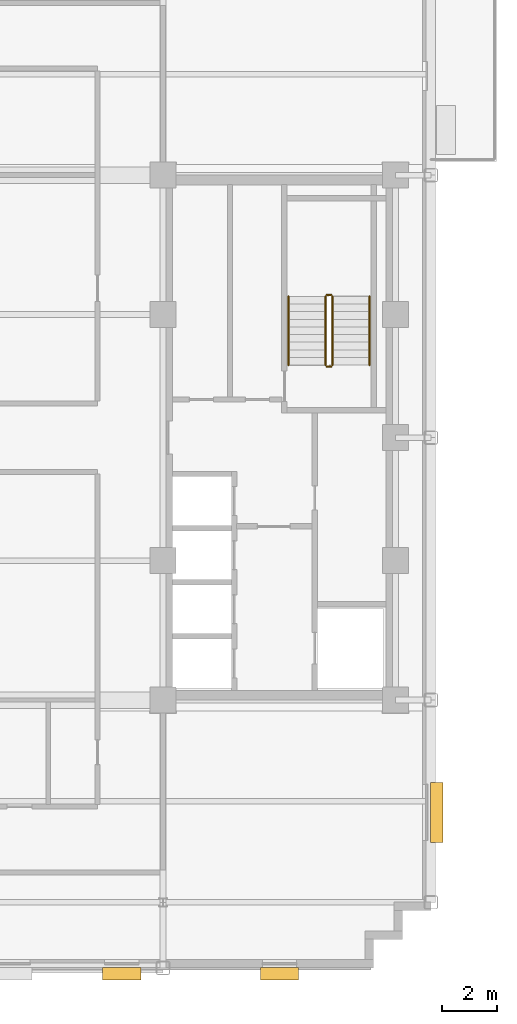
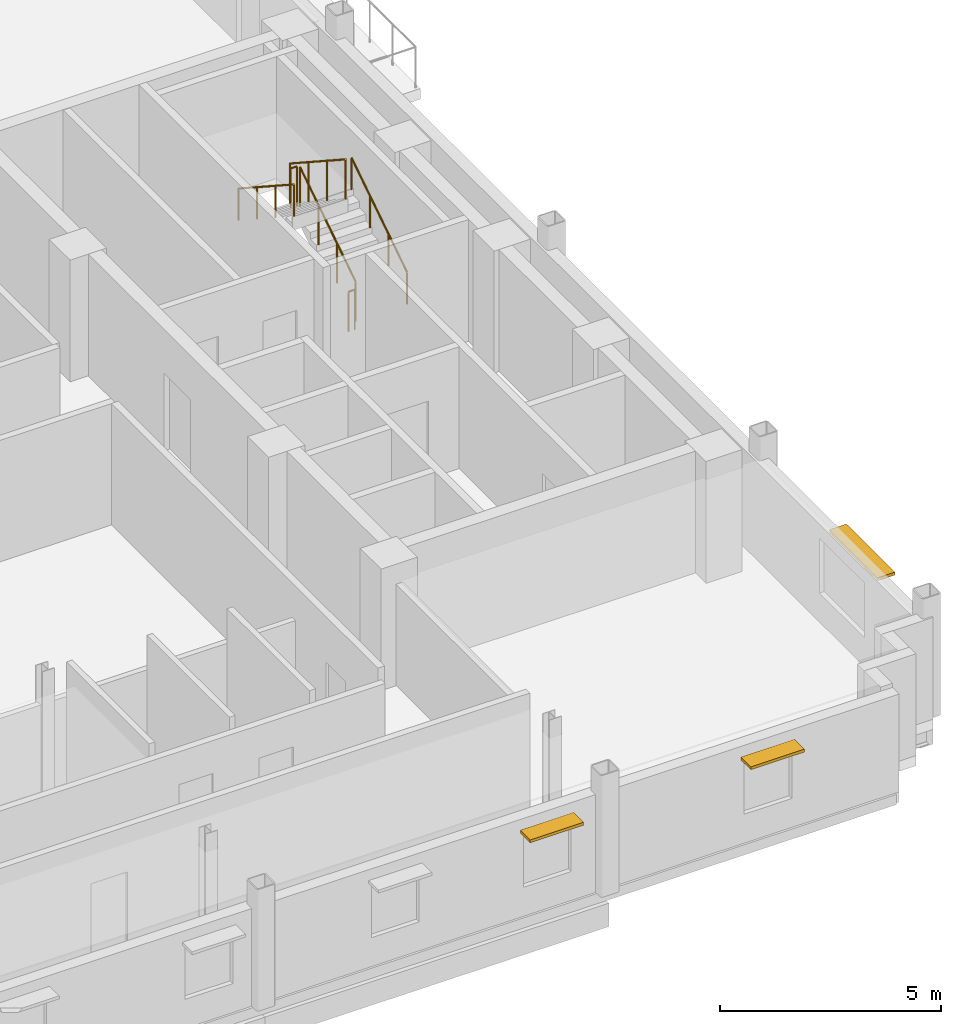
# One storey, part 12 of 13: 6 railings, 3 shading devices.
"""IFC4 building model written with IfcOpenShell, lengths in metres."""

from ifc_helpers import new_model, si_unit, direction, frame, origin, origin_2d, place, context, subcontext, project, spatial, rectangle, circle, extrude, source, transform, mapped, material, type_object, type_shapes, element, save


model = new_model("IFC4")

# Units and contexts
model_context = context("Model", 3, precision=1e-05, world=origin(), true_north=direction((0.0, 1.0)))
body_context = subcontext(model_context, "Body", "Model", "MODEL_VIEW")
ifc_project = project(units=[si_unit("LENGTHUNIT", "METRE"), si_unit("AREAUNIT", "SQUARE_METRE"), si_unit("VOLUMEUNIT", "CUBIC_METRE"), si_unit("PLANEANGLEUNIT", "RADIAN"), si_unit("MASSUNIT", "GRAM", prefix="KILO")], contexts=[model_context])

# Site, building, storey
site_placement = place(None, origin())
site = spatial("IfcSite", under=ifc_project, at=site_placement, CompositionType="ELEMENT")
building_placement = place(site_placement, origin())
building = spatial("IfcBuilding", under=site, at=building_placement, Name="Nuvemarco Arch Tower", CompositionType="ELEMENT")
storey_placement = place(building_placement, frame((0.0, 0.0, 216.449951171875)))
storey = spatial("IfcBuildingStorey", under=building, at=storey_placement, Name="L57", CompositionType="ELEMENT", Elevation=216.449951171875)

# Railings
ifc_material_1 = material(Name="Brushed stainless steel handrail", Category="steel")
railing_type_1 = type_object("IfcRailingType", Name="RL-HANDRAIL-900", PredefinedType="HANDRAIL", material=ifc_material_1)
railing_1_placement = place(storey_placement, frame((16.550048828125, 2.64990234375, 0.1826171875)))
element("IfcRailing", 1, at=railing_1_placement, inside=storey, type_object=railing_type_1, Name="L57 ST-2 stair handrail 1", PredefinedType="HANDRAIL", context=body_context, shape_type="SweptSolid", body=[
    extrude(circle(Radius=0.02392578125, at=origin_2d()), frame((0.0, 0.0, 0.8759765625), z_axis=(0.0, 0.837786554691, 0.545997883492), x_axis=(-1.0, 0.0, 0.0)), (0.0, 0.0, 1.0), 3.008056640625),
    extrude(circle(Radius=0.02099609375, at=origin_2d()), origin(), (0.0, 0.0, 1.0), 0.851806640625),
    extrude(circle(Radius=0.02099609375, at=origin_2d()), frame((0.0, 0.840087890625, 0.54736328125)), (0.0, 0.0, 1.0), 0.851806640625),
    extrude(circle(Radius=0.02099609375, at=origin_2d()), frame((0.0, 1.679931640625, 1.094970703125)), (0.0, 0.0, 1.0), 0.851806640625),
    extrude(circle(Radius=0.02099609375, at=origin_2d()), frame((0.0, 2.52001953125, 1.642333984375)), (0.0, 0.0, 1.0), 0.851806640625),
])
railing_2_placement = place(storey_placement, frame((13.590087890625, 5.169921875, 2.007568359375)))
element("IfcRailing", 2, at=railing_2_placement, inside=storey, type_object=railing_type_1, Name="L57 ST-2 stair handrail 2", PredefinedType="HANDRAIL", context=body_context, shape_type="SweptSolid", body=[
    extrude(circle(Radius=0.02392578125, at=origin_2d()), frame((0.0, 0.0, 0.8759765625), z_axis=(0.0, -0.837749427056, 0.546054848405), x_axis=(1.0, 0.0, 0.0)), (0.0, 0.0, 1.0), 3.008056640625),
    extrude(circle(Radius=0.02099609375, at=origin_2d()), origin(), (0.0, 0.0, 1.0), 0.851806640625),
    extrude(circle(Radius=0.02099609375, at=origin_2d()), frame((0.0, -0.840087890625, 0.547607421875)), (0.0, 0.0, 1.0), 0.851806640625),
    extrude(circle(Radius=0.02099609375, at=origin_2d()), frame((0.0, -1.679931640625, 1.094970703125)), (0.0, 0.0, 1.0), 0.851806640625),
    extrude(circle(Radius=0.02099609375, at=origin_2d()), frame((0.0, -2.52001953125, 1.642578125)), (0.0, 0.0, 1.0), 0.851806640625),
])
ifc_material_2 = material(Name="Painted balustrade steel S355", Category="steel")
railing_type_2 = type_object("IfcRailingType", Name="RL-STAIR-GUARD", PredefinedType="GUARDRAIL", material=ifc_material_2)
railing_3_placement = place(storey_placement, frame((15.199951171875, 2.64990234375, 0.1826171875)))
element("IfcRailing", 3, at=railing_3_placement, inside=storey, type_object=railing_type_2, Name="L57 ST-2 stair guard 1", PredefinedType="GUARDRAIL", context=body_context, shape_type="SweptSolid", body=[
    extrude(circle(Radius=0.02392578125, at=origin_2d()), frame((0.0, 0.0, 1.09619140625), z_axis=(0.0, 0.837786554691, 0.545997883492), x_axis=(-1.0, 0.0, 0.0)), (0.0, 0.0, 1.0), 3.008056640625),
    extrude(circle(Radius=0.02099609375, at=origin_2d()), origin(), (0.0, 0.0, 1.0), 1.072021484375),
    extrude(circle(Radius=0.02099609375, at=origin_2d()), frame((0.0, 0.840087890625, 0.54736328125)), (0.0, 0.0, 1.0), 1.072021484375),
    extrude(circle(Radius=0.02099609375, at=origin_2d()), frame((0.0, 1.679931640625, 1.094970703125)), (0.0, 0.0, 1.0), 1.072021484375),
    extrude(circle(Radius=0.02099609375, at=origin_2d()), frame((0.0, 2.52001953125, 1.642333984375)), (0.0, 0.0, 1.0), 1.072021484375),
])
railing_4_placement = place(storey_placement, frame((15.14990234375, 5.219970703125, 1.824951171875)))
element("IfcRailing", 4, at=railing_4_placement, inside=storey, type_object=railing_type_2, Name="L57 ST-2 stair guard 2", PredefinedType="GUARDRAIL", context=body_context, shape_type="SweptSolid", body=[
    extrude(circle(Radius=0.02392578125, at=origin_2d()), frame((0.0, 0.0, 1.09619140625), z_axis=(-1.0, 0.0, 0.0), x_axis=(0.0, -1.0, 0.0)), (0.0, 0.0, 1.0), 0.159912109375),
    extrude(circle(Radius=0.02099609375, at=origin_2d()), origin(), (0.0, 0.0, 1.0), 1.072021484375),
    extrude(circle(Radius=0.02099609375, at=origin_2d()), frame((-0.159912109375, 0.0, 0.0)), (0.0, 0.0, 1.0), 1.072021484375),
])
railing_5_placement = place(storey_placement, frame((14.93994140625, 5.169921875, 2.007568359375)))
element("IfcRailing", 5, at=railing_5_placement, inside=storey, type_object=railing_type_2, Name="L57 ST-2 stair guard 3", PredefinedType="GUARDRAIL", context=body_context, shape_type="SweptSolid", body=[
    extrude(circle(Radius=0.02392578125, at=origin_2d()), frame((0.0, 0.0, 1.09619140625), z_axis=(0.0, -0.837749427056, 0.546054848405), x_axis=(1.0, 0.0, 0.0)), (0.0, 0.0, 1.0), 3.008056640625),
    extrude(circle(Radius=0.02099609375, at=origin_2d()), origin(), (0.0, 0.0, 1.0), 1.072021484375),
    extrude(circle(Radius=0.02099609375, at=origin_2d()), frame((0.0, -0.840087890625, 0.547607421875)), (0.0, 0.0, 1.0), 1.072021484375),
    extrude(circle(Radius=0.02099609375, at=origin_2d()), frame((0.0, -1.679931640625, 1.094970703125)), (0.0, 0.0, 1.0), 1.072021484375),
    extrude(circle(Radius=0.02099609375, at=origin_2d()), frame((0.0, -2.52001953125, 1.642578125)), (0.0, 0.0, 1.0), 1.072021484375),
])
railing_6_placement = place(storey_placement, frame((15.14990234375, 2.60009765625, 0.0)))
element("IfcRailing", 6, at=railing_6_placement, inside=storey, type_object=railing_type_2, Name="L57 ST-2 stair guard 4", PredefinedType="GUARDRAIL", context=body_context, shape_type="SweptSolid", body=[
    extrude(circle(Radius=0.02392578125, at=origin_2d()), frame((0.0, 0.0, 1.09619140625), z_axis=(-1.0, 0.0, 0.0), x_axis=(0.0, -1.0, 0.0)), (0.0, 0.0, 1.0), 0.159912109375),
    extrude(circle(Radius=0.02099609375, at=origin_2d()), origin(), (0.0, 0.0, 1.0), 1.072021484375),
    extrude(circle(Radius=0.02099609375, at=origin_2d()), frame((-0.159912109375, 0.0, 0.0)), (0.0, 0.0, 1.0), 1.072021484375),
])

# Shading devices
ifc_material_3 = material(Name="Anodised aluminium 6063-T6", Category="aluminium")
shading_device_type_1 = type_object("IfcShadingDeviceType", Name="SHD-BRISE-SOLEIL", PredefinedType="USERDEFINED", material=ifc_material_3)
shared_shape_1 = source(origin(), body_context, "Body", "SweptSolid", [
    extrude(rectangle(XDim=2.199951171875, YDim=0.449951171875, at=origin_2d()), origin(), (0.0, 0.0, 1.0), 0.080078125),
])
type_shapes(shading_device_type_1, [shared_shape_1])
shading_device_placement = place(storey_placement, frame((19.014892578125, -13.708984375, 2.324951171875), z_axis=(0.0, 0.0, 1.0), x_axis=(0.0, 1.0, 0.0)))
element("IfcShadingDevice", 7, at=shading_device_placement, inside=storey, type_object=shading_device_type_1, Name="L57 horizontal brise-soleil sunshade", ObjectType="SUNSHADE", PredefinedType="USERDEFINED", context=body_context, shape_type="MappedRepresentation", body=[
    mapped(shared_shape_1, transform((0.0, 0.0, 0.0), scale=1.0)),
])
shading_device_type_2 = type_object("IfcShadingDeviceType", Name="SHD-BRISE-NARROW", PredefinedType="USERDEFINED", material=ifc_material_3)
shared_shape_2 = source(origin(), body_context, "Body", "SweptSolid", [
    extrude(rectangle(XDim=1.39990234375, YDim=0.449951171875, at=origin_2d()), origin(), (0.0, 0.0, 1.0), 0.080078125),
])
type_shapes(shading_device_type_2, [shared_shape_2])
for number, where, z_axis, x_axis, name in (
    (8, (7.487548828125, -19.614990234375, 2.324951171875), (0.0, 0.0, 1.0), (1.0, 0.0, 0.0), "L57 horizontal brise-soleil sunshade"),
    (9, (13.262451171875, -19.614990234375, 2.324951171875), (0.0, 0.0, 1.0), (1.0, 0.0, 0.0), "L57 horizontal brise-soleil sunshade"),
):
    element("IfcShadingDevice", number, at=place(storey_placement, frame(where, z_axis=z_axis, x_axis=x_axis)), inside=storey, type_object=shading_device_type_2, Name=name, ObjectType="SUNSHADE", PredefinedType="USERDEFINED", context=body_context, shape_type="MappedRepresentation", body=[
        mapped(shared_shape_2, transform((0.0, 0.0, 0.0), scale=1.0)),
    ])

save(model, "model.ifc")
